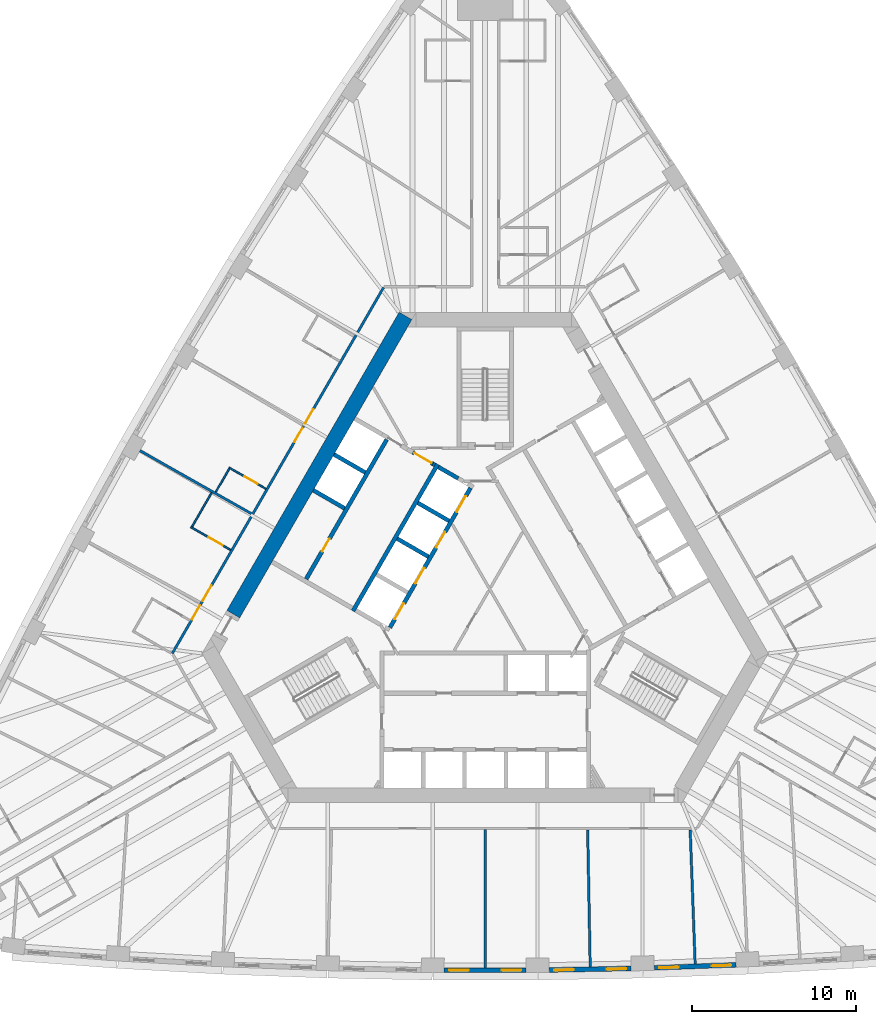
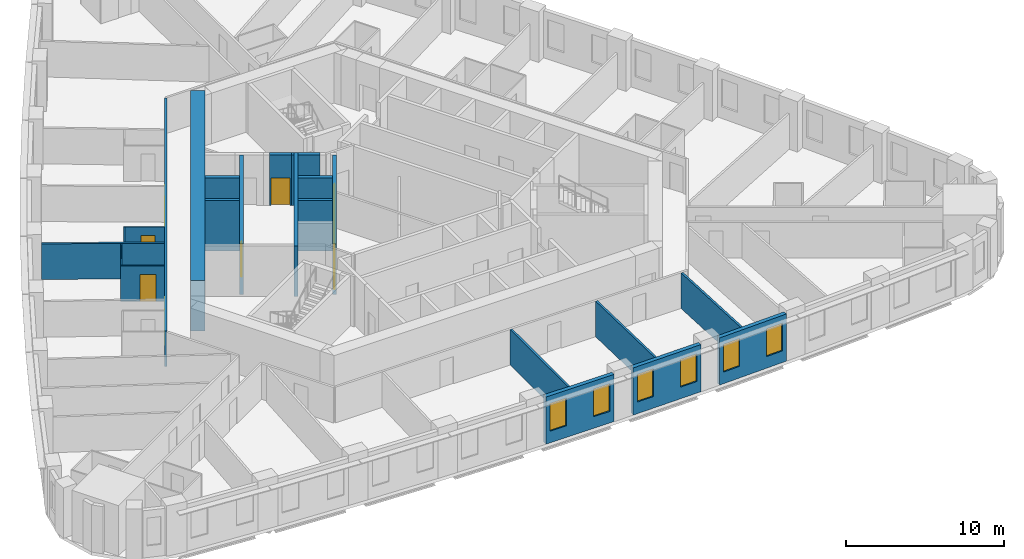
# One storey, part 5 of 12: 23 walls, 12 doors, 6 windows, 18 openings.
"""IFC4 building model written with IfcOpenShell, lengths in metres."""

import ifcopenshell
import ifcopenshell.guid

model = None  # the IFC model being written
_history = None  # IfcOwnerHistory: only IFC2X3 demands one
_inside = {}  # id of a spatial element -> (the spatial element, [elements in it])
_under = {}  # id of a project, library or spatial element -> (it, [spatial elements below it])
_declared = {}  # id of a project -> (the project, [libraries it declares])
_typed = {}  # id of a type object -> (the type object, [elements of that type])
_made_of = {}  # id of a material, layer set ... -> (it, [elements and type objects made of it])


def new_model(schema):
    """Start an empty IFC model of exactly this schema.

    Asked for "IFC4X3", IfcOpenShell would pick the latest addendum, in which some entities
    have other attributes; the version numbers below select the first issue.
    IFC2X3 requires an IfcOwnerHistory on every rooted entity: one is made here for all.
    """
    global model, _history
    if schema == "IFC4X3":
        model = ifcopenshell.file(schema_version=(4, 3, 0, 0))
    else:
        model = ifcopenshell.file(schema=schema)
    _inside.clear()
    _under.clear()
    _declared.clear()
    _typed.clear()
    _made_of.clear()
    _history = None
    if model.schema == "IFC2X3":
        org = make("IfcOrganization", Name="unknown")
        user = make(
            "IfcPersonAndOrganization",
            ThePerson=make("IfcPerson", FamilyName="unknown"),
            TheOrganization=org,
        )
        app = make(
            "IfcApplication",
            ApplicationDeveloper=org,
            Version="unknown",
            ApplicationFullName="unknown",
            ApplicationIdentifier="unknown",
        )
        _history = make(
            "IfcOwnerHistory",
            OwningUser=user,
            OwningApplication=app,
            ChangeAction="ADDED",
            CreationDate=0,
        )
    return model


def make(cls, **values):
    """One entity of the class cls with the attributes given. An attribute that is None is left unset."""
    return model.create_entity(
        cls, **{name: value for name, value in values.items() if value is not None}
    )


def rooted(cls, **values):
    """An entity with a GlobalId (a new one), such as an element, a storey or a relation."""
    return make(cls, GlobalId=ifcopenshell.guid.new(), OwnerHistory=_history, **values)


def si_unit(unit_type, name, prefix=None):
    """IfcSIUnit, for example si_unit("LENGTHUNIT", "METRE", prefix="MILLI")."""
    return make("IfcSIUnit", UnitType=unit_type, Prefix=prefix, Name=name)


def assignment(units):
    """IfcUnitAssignment: the units of a project."""
    return None if units is None else make("IfcUnitAssignment", Units=units)


def point(xyz):
    """IfcCartesianPoint."""
    return None if xyz is None else make("IfcCartesianPoint", Coordinates=xyz)


def direction(xyz):
    """IfcDirection."""
    return None if xyz is None else make("IfcDirection", DirectionRatios=xyz)


def frame(location, z_axis=None, x_axis=None):
    """IfcAxis2Placement3D, a coordinate frame: its origin and axes. An axis left out is left unset."""
    return make(
        "IfcAxis2Placement3D",
        Location=point(location),
        Axis=direction(z_axis),
        RefDirection=direction(x_axis),
    )


def frame_2d(location, x_axis=None):
    """IfcAxis2Placement2D, a coordinate frame in the plane: its origin and x axis."""
    return make(
        "IfcAxis2Placement2D", Location=point(location), RefDirection=direction(x_axis)
    )


def origin():
    """The frame at (0, 0, 0) with its axes left unset."""
    return frame((0.0, 0.0, 0.0))


def place(relative_to, where):
    """IfcLocalPlacement: puts the frame where relative to a parent placement (None: the world)."""
    return make(
        "IfcLocalPlacement", PlacementRelTo=relative_to, RelativePlacement=where
    )


def context(
    kind, dimensions, precision=None, world=None, true_north=None, identifier=None
):
    """IfcGeometricRepresentationContext, for example the 3D "Model" context."""
    return make(
        "IfcGeometricRepresentationContext",
        ContextIdentifier=identifier,
        ContextType=kind,
        CoordinateSpaceDimension=dimensions,
        Precision=precision,
        WorldCoordinateSystem=world,
        TrueNorth=true_north,
    )


def subcontext(parent, identifier, kind, view, scale=None):
    """IfcGeometricRepresentationSubContext, for example "Body" below "Model"."""
    return make(
        "IfcGeometricRepresentationSubContext",
        ContextIdentifier=identifier,
        ContextType=kind,
        ParentContext=parent,
        TargetScale=scale,
        TargetView=view,
    )


def project(units=None, contexts=None):
    """IfcProject with its units and contexts."""
    return rooted(
        "IfcProject",
        Name="project",
        RepresentationContexts=contexts,
        UnitsInContext=assignment(units),
    )


def spatial(cls, under=None, at=None, **own):
    """A site, building, storey or space (cls), placed at a placement, below another one or the project."""
    s = rooted(cls, ObjectPlacement=at, **own)
    if under is not None:
        _under.setdefault(under.id(), (under, []))[1].append(s)
    return s


def polyline(points):
    """IfcPolyline through the points."""
    return make("IfcPolyline", Points=[point(p) for p in points])


def profile(cls, at=None, kind="AREA", **sizes):
    """A parametric profile (cls). Its sizes go by their IFC names, for example OverallWidth=200.0."""
    return make(cls, ProfileType=kind, Position=at, **sizes)


def rectangle(**sizes):
    """IfcRectangleProfileDef."""
    return profile("IfcRectangleProfileDef", **sizes)


def outline(outer, holes=None, kind="AREA"):
    """IfcArbitraryClosedProfileDef: a profile drawn as a closed curve; with holes, ...WithVoids."""
    if holes is None:
        return make("IfcArbitraryClosedProfileDef", ProfileType=kind, OuterCurve=outer)
    return make(
        "IfcArbitraryProfileDefWithVoids",
        ProfileType=kind,
        OuterCurve=outer,
        InnerCurves=holes,
    )


def extrude(swept, where, along, depth):
    """IfcExtrudedAreaSolid: the profile swept, set in the frame where, extruded along a direction by depth."""
    return make(
        "IfcExtrudedAreaSolid",
        SweptArea=swept,
        Position=where,
        ExtrudedDirection=direction(along),
        Depth=depth,
    )


def shape(context_of_items, identifier, shape_type, items):
    """IfcShapeRepresentation: the items that make up one representation, for example the "Body"."""
    return make(
        "IfcShapeRepresentation",
        ContextOfItems=context_of_items,
        RepresentationIdentifier=identifier,
        RepresentationType=shape_type,
        Items=items,
    )


def material(Name=None, Category=None):
    """IfcMaterial."""
    return make("IfcMaterial", Name=Name, Category=Category)


def layer(
    of_material, thickness, ventilated=None, Name=None, Category=None, Priority=None
):
    """IfcMaterialLayer: one layer of a wall or slab, of a material (None: an air gap)."""
    return make(
        "IfcMaterialLayer",
        Material=of_material,
        LayerThickness=thickness,
        IsVentilated=ventilated,
        Name=Name,
        Category=Category,
        Priority=Priority,
    )


def layer_set(layers, Name=None):
    """IfcMaterialLayerSet."""
    return make("IfcMaterialLayerSet", MaterialLayers=layers, LayerSetName=Name)


def made_of(thing, what):
    """Note that an element or type object is made of a material, layer set ...; save() writes the relation."""
    if what is not None:
        _made_of.setdefault(what.id(), (what, []))[1].append(thing)
    return thing


def type_object(cls, material=None, **own):
    """A type object (cls), such as IfcWallType, which elements share."""
    return made_of(rooted(cls, **own), material)


def element(
    cls,
    number,
    at=None,
    inside=None,
    cuts=None,
    type_object=None,
    material=None,
    context=None,
    identifier="Body",
    shape_type=None,
    held_by="IfcProductDefinitionShape",
    body=None,
    shapes=None,
    **own,
):
    """One element of the class cls, such as IfcWall. Its Tag is "e" and its number.

    at: its placement. inside: the storey or other place that contains it. cuts: it is an
    opening in that element (IfcRelVoidsElement). A single representation is given by context,
    identifier, shape_type and body (its items); several are given by shapes. held_by: the class
    of the entity that holds the representations. save() writes the other relations.
    """
    e = rooted(cls, Tag="e%d" % number, ObjectPlacement=at, **own)
    if body is not None:
        shapes = [shape(context, identifier, shape_type, body)]
    if shapes is not None:
        e.Representation = make(held_by, Representations=shapes)
    if inside is not None:
        _inside.setdefault(inside.id(), (inside, []))[1].append(e)
    if cuts is not None:
        rooted(
            "IfcRelVoidsElement", RelatingBuildingElement=cuts, RelatedOpeningElement=e
        )
    if type_object is not None:
        _typed.setdefault(type_object.id(), (type_object, []))[1].append(e)
    return made_of(e, material)


def fill(opening, filler):
    """IfcRelFillsElement: the door or window that sits in an opening."""
    return rooted(
        "IfcRelFillsElement",
        RelatingOpeningElement=opening,
        RelatedBuildingElement=filler,
    )


def aggregate(whole, parts):
    """IfcRelAggregates: a whole, such as a stair, and the parts it consists of."""
    return rooted("IfcRelAggregates", RelatingObject=whole, RelatedObjects=parts)


def save(model, path):
    """Write the relations noted so far, then the file.

    IfcRelAggregates (storeys below a building ...), IfcRelContainedInSpatialStructure (elements
    in a storey), IfcRelDefinesByType, IfcRelAssociatesMaterial and IfcRelDeclares: one each for
    every whole, place, type object, material and project.
    """
    for whole, parts in _under.values():
        aggregate(whole, parts)
    for where, things in _inside.values():
        rooted(
            "IfcRelContainedInSpatialStructure",
            RelatedElements=things,
            RelatingStructure=where,
        )
    for kind, things in _typed.values():
        rooted("IfcRelDefinesByType", RelatedObjects=things, RelatingType=kind)
    for what, things in _made_of.values():
        rooted("IfcRelAssociatesMaterial", RelatedObjects=things, RelatingMaterial=what)
    for by, libraries in _declared.values():
        rooted("IfcRelDeclares", RelatingContext=by, RelatedDefinitions=libraries)
    model.write(path)


model = new_model("IFC4")

# Units and contexts
model_context = context("Model", 3, precision=1e-05, world=origin(), true_north=direction((0.0, 1.0)))
body_context = subcontext(model_context, "Body", "Model", "MODEL_VIEW")
ifc_project = project(units=[si_unit("LENGTHUNIT", "METRE"), si_unit("AREAUNIT", "SQUARE_METRE"), si_unit("VOLUMEUNIT", "CUBIC_METRE"), si_unit("PLANEANGLEUNIT", "RADIAN"), si_unit("MASSUNIT", "GRAM", prefix="KILO")], contexts=[model_context])

# Site, building, storey
site_placement = place(None, origin())
site = spatial("IfcSite", under=ifc_project, at=site_placement, CompositionType="ELEMENT")
building_placement = place(site_placement, origin())
building = spatial("IfcBuilding", under=site, at=building_placement, Name="Mestral Congress Tower", CompositionType="ELEMENT")
storey_placement = place(building_placement, frame((0.0, 0.0, 43.199951171875)))
storey = spatial("IfcBuildingStorey", under=building, at=storey_placement, Name="L09", CompositionType="ELEMENT", Elevation=43.199951171875)

# Wall
ifc_material_1 = material(Name="Concrete C60/75", Category="concrete")
ifc_layer_1 = layer(ifc_material_1, 0.89990234375)
ifc_layer_set_1 = layer_set([ifc_layer_1], Name="Concrete C60/75")
wall_type_1 = type_object("IfcWallType", Name="Core wall RC 900", PredefinedType="SOLIDWALL", material=ifc_layer_set_1)
wall_1_placement = place(storey_placement, frame((-15.359619140625, -1.50341796875, 0.0), z_axis=(0.0, 0.0, 1.0), x_axis=(0.50000389221, 0.866023156604, 0.0)))
element("IfcWall", 1, at=wall_1_placement, inside=storey, type_object=wall_type_1, Name="L09 core wall", PredefinedType="SOLIDWALL", context=body_context, shape_type="SweptSolid", body=[
    extrude(rectangle(XDim=21.000244140625, YDim=0.89990234375, at=frame_2d((10.5, 0.0))), origin(), (0.0, 0.0, 1.0), 3.900146484375),
])

# Wall, openings, windows
ifc_material_2 = material(Name="Precast concrete C40/50 with limestone facing", Category="masonry")
ifc_layer_2 = layer(ifc_material_2, 0.2900390625)
ifc_layer_set_2 = layer_set([ifc_layer_2], Name="Precast concrete C40/50 with limestone facing")
wall_type_2 = type_object("IfcWallType", Name="Facade stone wall 290", PredefinedType="SOLIDWALL", material=ifc_layer_set_2)
wall_2_placement = place(storey_placement, frame((-2.4990234375, -23.21826171875, 0.0), z_axis=(0.0, 0.0, 1.0), x_axis=(1.0, 0.0, 0.0)))
wall_2 = element("IfcWall", 2, at=wall_2_placement, inside=storey, type_object=wall_type_2, Name="Facade wall F0-04", PredefinedType="SOLIDWALL", context=body_context, shape_type="SweptSolid", body=[
    extrude(rectangle(XDim=4.998046875, YDim=0.2900390625, at=frame_2d((2.4990234375, 0.0))), origin(), (0.0, 0.0, 1.0), 3.650146484375),
])
opening_1_placement = place(wall_2_placement, frame((0.297119140625, 0.0, 0.89990234375)))
opening_1 = element("IfcOpeningElement", 3, at=opening_1_placement, cuts=wall_2, Name="Opening W1", PredefinedType="OPENING", context=body_context, shape_type="SweptSolid", body=[
    extrude(rectangle(XDim=1.199951171875, YDim=2.14990234375, at=frame_2d((0.60009765625, 1.074951171875))), frame((0.0, 0.155029296875, 0.0), z_axis=(0.0, -1.0, 0.0), x_axis=(1.0, 0.0, 0.0)), (0.0, 0.0, 1.0), 0.31005859375),
])
opening_2_placement = place(wall_2_placement, frame((3.501220703125, 0.0, 0.89990234375)))
opening_2 = element("IfcOpeningElement", 4, at=opening_2_placement, cuts=wall_2, Name="Opening W1", PredefinedType="OPENING", context=body_context, shape_type="SweptSolid", body=[
    extrude(rectangle(XDim=1.199951171875, YDim=2.14990234375, at=frame_2d((0.60009765625, 1.074951171875))), frame((0.0, 0.155029296875, 0.0), z_axis=(0.0, -1.0, 0.0), x_axis=(1.0, 0.0, 0.0)), (0.0, 0.0, 1.0), 0.31005859375),
])
ifc_material_3 = material(Name="Clear low-emissivity double glazing", Category="glass")
window_type = type_object("IfcWindowType", Name="Facade punched window 1200 x 2150 sill 900", PartitioningType="DOUBLE_PANEL_VERTICAL", PredefinedType="WINDOW", material=ifc_material_3)
window_1_placement = place(opening_1_placement, origin())
window_1 = element("IfcWindow", 5, at=window_1_placement, inside=storey, type_object=window_type, Name="Window F0-04a", OverallHeight=2.14990234375, OverallWidth=1.199951171875, PartitioningType="DOUBLE_PANEL_VERTICAL", PredefinedType="WINDOW", context=body_context, shape_type="SweptSolid", body=[
    extrude(rectangle(XDim=1.199951171875, YDim=2.14990234375, at=frame_2d((0.60009765625, 1.074951171875))), frame((0.0, 0.01513671875, 0.0), z_axis=(0.0, -1.0, 0.0), x_axis=(1.0, 0.0, 0.0)), (0.0, 0.0, 1.0), 0.06005859375),
])
fill(opening_1, window_1)
window_2_placement = place(opening_2_placement, origin())
window_2 = element("IfcWindow", 6, at=window_2_placement, inside=storey, type_object=window_type, Name="Window F0-04b", OverallHeight=2.14990234375, OverallWidth=1.199951171875, PartitioningType="DOUBLE_PANEL_VERTICAL", PredefinedType="WINDOW", context=body_context, shape_type="SweptSolid", body=[
    extrude(rectangle(XDim=1.199951171875, YDim=2.14990234375, at=frame_2d((0.60009765625, 1.074951171875))), frame((0.0, 0.01513671875, 0.0), z_axis=(0.0, -1.0, 0.0), x_axis=(1.0, 0.0, 0.0)), (0.0, 0.0, 1.0), 0.06005859375),
])
fill(opening_2, window_2)

wall_3_placement = place(storey_placement, frame((3.90625, -23.205078125, 0.0), z_axis=(0.0, 0.0, 1.0), x_axis=(0.999829529479, 0.018463801951, 0.0)))
wall_3 = element("IfcWall", 7, at=wall_3_placement, inside=storey, type_object=wall_type_2, Name="Facade wall F0-05", PredefinedType="SOLIDWALL", context=body_context, shape_type="SweptSolid", body=[
    extrude(rectangle(XDim=4.998046875, YDim=0.2900390625, at=frame_2d((2.4990234375, 0.0))), origin(), (0.0, 0.0, 1.0), 3.650146484375),
])
opening_3_placement = place(wall_3_placement, frame((0.297119140625, 0.0, 0.89990234375)))
opening_3 = element("IfcOpeningElement", 8, at=opening_3_placement, cuts=wall_3, Name="Opening W1", PredefinedType="OPENING", context=body_context, shape_type="SweptSolid", body=[
    extrude(rectangle(XDim=1.199951171875, YDim=2.14990234375, at=frame_2d((0.60009765625, 1.074951171875))), frame((0.0, 0.155029296875, 0.0), z_axis=(0.0, -1.0, 0.0), x_axis=(1.0, 0.0, 0.0)), (0.0, 0.0, 1.0), 0.31005859375),
])
opening_4_placement = place(wall_3_placement, frame((3.501220703125, 0.0, 0.89990234375)))
opening_4 = element("IfcOpeningElement", 9, at=opening_4_placement, cuts=wall_3, Name="Opening W1", PredefinedType="OPENING", context=body_context, shape_type="SweptSolid", body=[
    extrude(rectangle(XDim=1.199951171875, YDim=2.14990234375, at=frame_2d((0.60009765625, 1.074951171875))), frame((0.0, 0.155029296875, 0.0), z_axis=(0.0, -1.0, 0.0), x_axis=(1.0, 0.0, 0.0)), (0.0, 0.0, 1.0), 0.31005859375),
])
window_3_placement = place(opening_3_placement, origin())
window_3 = element("IfcWindow", 10, at=window_3_placement, inside=storey, type_object=window_type, Name="Window F0-05a", OverallHeight=2.14990234375, OverallWidth=1.199951171875, PartitioningType="DOUBLE_PANEL_VERTICAL", PredefinedType="WINDOW", context=body_context, shape_type="SweptSolid", body=[
    extrude(rectangle(XDim=1.199951171875, YDim=2.14990234375, at=frame_2d((0.60009765625, 1.074951171875))), frame((0.0, 0.01513671875, 0.0), z_axis=(0.0, -1.0, 0.0), x_axis=(1.0, 0.0, 0.0)), (0.0, 0.0, 1.0), 0.06005859375),
])
fill(opening_3, window_3)
window_4_placement = place(opening_4_placement, origin())
window_4 = element("IfcWindow", 11, at=window_4_placement, inside=storey, type_object=window_type, Name="Window F0-05b", OverallHeight=2.14990234375, OverallWidth=1.199951171875, PartitioningType="DOUBLE_PANEL_VERTICAL", PredefinedType="WINDOW", context=body_context, shape_type="SweptSolid", body=[
    extrude(rectangle(XDim=1.199951171875, YDim=2.14990234375, at=frame_2d((0.60009765625, 1.074951171875))), frame((0.0, 0.01513671875, 0.0), z_axis=(0.0, -1.0, 0.0), x_axis=(1.0, 0.0, 0.0)), (0.0, 0.0, 1.0), 0.06005859375),
])
fill(opening_4, window_4)

wall_4_placement = place(storey_placement, frame((10.310302734375, -23.07373046875, 0.0), z_axis=(0.0, 0.0, 1.0), x_axis=(0.999317974969, 0.036926750529, 0.0)))
wall_4 = element("IfcWall", 12, at=wall_4_placement, inside=storey, type_object=wall_type_2, Name="Facade wall F0-06", PredefinedType="SOLIDWALL", context=body_context, shape_type="SweptSolid", body=[
    extrude(rectangle(XDim=4.998291015625, YDim=0.2900390625, at=frame_2d((2.4990234375, 0.0))), origin(), (0.0, 0.0, 1.0), 3.650146484375),
])
opening_5_placement = place(wall_4_placement, frame((0.297119140625, 0.0, 0.89990234375)))
opening_5 = element("IfcOpeningElement", 13, at=opening_5_placement, cuts=wall_4, Name="Opening W1", PredefinedType="OPENING", context=body_context, shape_type="SweptSolid", body=[
    extrude(rectangle(XDim=1.199951171875, YDim=2.14990234375, at=frame_2d((0.60009765625, 1.074951171875))), frame((0.0, 0.155029296875, 0.0), z_axis=(0.0, -1.0, 0.0), x_axis=(1.0, 0.0, 0.0)), (0.0, 0.0, 1.0), 0.31005859375),
])
opening_6_placement = place(wall_4_placement, frame((3.501220703125, 0.0, 0.89990234375)))
opening_6 = element("IfcOpeningElement", 14, at=opening_6_placement, cuts=wall_4, Name="Opening W1", PredefinedType="OPENING", context=body_context, shape_type="SweptSolid", body=[
    extrude(rectangle(XDim=1.199951171875, YDim=2.14990234375, at=frame_2d((0.60009765625, 1.074951171875))), frame((0.0, 0.155029296875, 0.0), z_axis=(0.0, -1.0, 0.0), x_axis=(1.0, 0.0, 0.0)), (0.0, 0.0, 1.0), 0.31005859375),
])
window_5_placement = place(opening_5_placement, origin())
window_5 = element("IfcWindow", 15, at=window_5_placement, inside=storey, type_object=window_type, Name="Window F0-06a", OverallHeight=2.14990234375, OverallWidth=1.199951171875, PartitioningType="DOUBLE_PANEL_VERTICAL", PredefinedType="WINDOW", context=body_context, shape_type="SweptSolid", body=[
    extrude(rectangle(XDim=1.199951171875, YDim=2.14990234375, at=frame_2d((0.60009765625, 1.074951171875))), frame((0.0, 0.01513671875, 0.0), z_axis=(0.0, -1.0, 0.0), x_axis=(1.0, 0.0, 0.0)), (0.0, 0.0, 1.0), 0.06005859375),
])
fill(opening_5, window_5)
window_6_placement = place(opening_6_placement, origin())
window_6 = element("IfcWindow", 16, at=window_6_placement, inside=storey, type_object=window_type, Name="Window F0-06b", OverallHeight=2.14990234375, OverallWidth=1.199951171875, PartitioningType="DOUBLE_PANEL_VERTICAL", PredefinedType="WINDOW", context=body_context, shape_type="SweptSolid", body=[
    extrude(rectangle(XDim=1.199951171875, YDim=2.14990234375, at=frame_2d((0.60009765625, 1.074951171875))), frame((0.0, 0.01513671875, 0.0), z_axis=(0.0, -1.0, 0.0), x_axis=(1.0, 0.0, 0.0)), (0.0, 0.0, 1.0), 0.06005859375),
])
fill(opening_6, window_6)

# Wall, opening, door
ifc_material_4 = material(Name="Gypsum board partition on metal studs with mineral wool", Category="composite")
ifc_layer_3 = layer(ifc_material_4, 0.10009765625)
ifc_layer_set_3 = layer_set([ifc_layer_3], Name="Gypsum board partition on metal studs with mineral wool")
wall_type_3 = type_object("IfcWallType", Name="Hotel partition wall 100", PredefinedType="PARTITIONING", material=ifc_layer_set_3)
wall_5_placement = place(storey_placement, frame((-13.37255859375, 6.13818359375, 0.0), z_axis=(0.0, 0.0, 1.0), x_axis=(-0.866062058628, 0.499936506574, 0.0)))
wall_5 = element("IfcWall", 17, at=wall_5_placement, inside=storey, type_object=wall_type_3, Name="L09-h-pod22a", PredefinedType="PARTITIONING", context=body_context, shape_type="SweptSolid", body=[
    extrude(rectangle(XDim=2.599853515625, YDim=0.10009765625, at=frame_2d((1.2998046875, 0.0))), origin(), (0.0, 0.0, 1.0), 2.75),
])
opening_7_placement = place(wall_5_placement, frame((0.60009765625, 0.0, 0.0)))
opening_7 = element("IfcOpeningElement", 18, at=opening_7_placement, cuts=wall_5, Name="Opening H02-036", PredefinedType="OPENING", context=body_context, shape_type="SweptSolid", body=[
    extrude(rectangle(XDim=0.89990234375, YDim=2.10009765625, at=frame_2d((0.449951171875, 1.050048828125))), frame((0.0, 0.06005859375, 0.0), z_axis=(0.0, -1.0, 0.0), x_axis=(1.0, 0.0, 0.0)), (0.0, 0.0, 1.0), 0.1201171875),
])
ifc_material_5 = material(Name="Timber veneer door leaf in timber frame", Category="wood")
door_type_1 = type_object("IfcDoorType", Name="Bathroom door 900", OperationType="SINGLE_SWING_LEFT", PredefinedType="DOOR", material=ifc_material_5)
door_1_placement = place(opening_7_placement, origin())
door_1 = element("IfcDoor", 19, at=door_1_placement, inside=storey, type_object=door_type_1, Name="L09-h-d036", OperationType="SINGLE_SWING_LEFT", OverallHeight=2.10009765625, OverallWidth=0.89990234375, PredefinedType="DOOR", context=body_context, shape_type="SweptSolid", body=[
    extrude(rectangle(XDim=0.89990234375, YDim=2.10009765625, at=frame_2d((0.449951171875, 1.050048828125))), frame((0.0, 0.02490234375, 0.0), z_axis=(0.0, -1.0, 0.0), x_axis=(1.0, 0.0, 0.0)), (0.0, 0.0, 1.0), 0.050048828125),
])
fill(opening_7, door_1)

# Wall
wall_6_placement = place(storey_placement, frame((-15.60595703125, 7.369873046875, 0.0), z_axis=(0.0, 0.0, 1.0), x_axis=(-0.499974350878, -0.866040211805, 0.0)))
element("IfcWall", 20, at=wall_6_placement, inside=storey, type_object=wall_type_3, Name="L09-h-pod22b", PredefinedType="PARTITIONING", context=body_context, shape_type="SweptSolid", body=[
    extrude(rectangle(XDim=1.64990234375, YDim=0.10009765625, at=frame_2d((0.824951171875, 0.0))), origin(), (0.0, 0.0, 1.0), 2.75),
])

# Wall, opening, door
wall_7_placement = place(storey_placement, frame((-17.950927734375, 3.80810546875, 0.0), z_axis=(0.0, 0.0, 1.0), x_axis=(0.866034573852, -0.49998411664, 0.0)))
wall_7 = element("IfcWall", 21, at=wall_7_placement, inside=storey, type_object=wall_type_3, Name="L09-h-pod23a", PredefinedType="PARTITIONING", context=body_context, shape_type="SweptSolid", body=[
    extrude(rectangle(XDim=2.7998046875, YDim=0.10009765625, at=frame_2d((1.39990234375, 0.0))), origin(), (0.0, 0.0, 1.0), 2.75),
])
opening_8_placement = place(wall_7_placement, frame((1.25, 0.0, 0.0)))
opening_8 = element("IfcOpeningElement", 22, at=opening_8_placement, cuts=wall_7, Name="Opening H02-038", PredefinedType="OPENING", context=body_context, shape_type="SweptSolid", body=[
    extrude(rectangle(XDim=1.0, YDim=2.10009765625, at=frame_2d((0.5, 1.050048828125))), frame((0.0, 0.06005859375, 0.0), z_axis=(0.0, -1.0, 0.0), x_axis=(1.0, 0.0, 0.0)), (0.0, 0.0, 1.0), 0.1201171875),
])
door_type_2 = type_object("IfcDoorType", Name="Accessible bathroom door 1000", OperationType="SINGLE_SWING_LEFT", PredefinedType="DOOR", material=ifc_material_5)
door_2_placement = place(opening_8_placement, origin())
door_2 = element("IfcDoor", 23, at=door_2_placement, inside=storey, type_object=door_type_2, Name="L09-h-d038", OperationType="SINGLE_SWING_LEFT", OverallHeight=2.10009765625, OverallWidth=1.0, PredefinedType="DOOR", context=body_context, shape_type="SweptSolid", body=[
    extrude(rectangle(XDim=1.0, YDim=2.10009765625, at=frame_2d((0.5, 1.050048828125))), frame((0.0, 0.02490234375, 0.0), z_axis=(0.0, -1.0, 0.0), x_axis=(1.0, 0.0, 0.0)), (0.0, 0.0, 1.0), 0.050048828125),
])
fill(opening_8, door_2)

# Wall
wall_8_placement = place(storey_placement, frame((-17.877685546875, 3.835205078125, 0.0), z_axis=(0.0, 0.0, 1.0), x_axis=(0.500061428766, 0.865989934965, 0.0)))
element("IfcWall", 24, at=wall_8_placement, inside=storey, type_object=wall_type_3, Name="L09-h-pod23b", PredefinedType="PARTITIONING", context=body_context, shape_type="SweptSolid", body=[
    extrude(rectangle(XDim=2.389892578125, YDim=0.10009765625, at=frame_2d((1.19482421875, 0.0))), origin(), (0.0, 0.0, 1.0), 2.75),
])

# Wall, openings, doors
ifc_layer_4 = layer(ifc_material_4, 0.14990234375)
ifc_layer_set_4 = layer_set([ifc_layer_4], Name="Gypsum board partition on metal studs with mineral wool")
wall_type_4 = type_object("IfcWallType", Name="Hotel partition wall 150", PredefinedType="PARTITIONING", material=ifc_layer_set_4)
wall_9_placement = place(storey_placement, frame((-19.081298828125, -3.89990234375, 0.0), z_axis=(0.0, 0.0, 1.0), x_axis=(0.499998313975, 0.866026377209, 0.0)))
wall_9 = element("IfcWall", 25, at=wall_9_placement, inside=storey, type_object=wall_type_4, Name="L09-h-cw08", PredefinedType="PARTITIONING", context=body_context, shape_type="SweptSolid", body=[
    extrude(rectangle(XDim=25.76611328125, YDim=0.14990234375, at=frame_2d((12.883056640625, 0.0))), origin(), (0.0, 0.0, 1.0), 2.75),
])
opening_9_placement = place(wall_9_placement, frame((16.19580078125, 0.0, 0.0)))
opening_9 = element("IfcOpeningElement", 26, at=opening_9_placement, cuts=wall_9, Name="Opening H02-033", PredefinedType="OPENING", context=body_context, shape_type="SweptSolid", body=[
    extrude(rectangle(XDim=1.0, YDim=2.10009765625, at=frame_2d((0.5, 1.050048828125))), frame((0.0, 0.0849609375, 0.0), z_axis=(0.0, -1.0, 0.0), x_axis=(1.0, 0.0, 0.0)), (0.0, 0.0, 1.0), 0.169921875),
])
opening_10_placement = place(wall_9_placement, frame((14.888671875, 0.0, 0.0)))
opening_10 = element("IfcOpeningElement", 27, at=opening_10_placement, cuts=wall_9, Name="Opening H02-035", PredefinedType="OPENING", context=body_context, shape_type="SweptSolid", body=[
    extrude(rectangle(XDim=1.0, YDim=2.10009765625, at=frame_2d((0.5, 1.050048828125))), frame((0.0, 0.0849609375, 0.0), z_axis=(0.0, -1.0, 0.0), x_axis=(1.0, 0.0, 0.0)), (0.0, 0.0, 1.0), 0.169921875),
])
opening_11_placement = place(wall_9_placement, frame((3.6982421875, 0.0, 0.0)))
opening_11 = element("IfcOpeningElement", 28, at=opening_11_placement, cuts=wall_9, Name="Opening H02-037", PredefinedType="OPENING", context=body_context, shape_type="SweptSolid", body=[
    extrude(rectangle(XDim=1.10009765625, YDim=2.10009765625, at=frame_2d((0.550048828125, 1.050048828125))), frame((0.0, 0.0849609375, 0.0), z_axis=(0.0, -1.0, 0.0), x_axis=(1.0, 0.0, 0.0)), (0.0, 0.0, 1.0), 0.169921875),
])
opening_12_placement = place(wall_9_placement, frame((2.3916015625, 0.0, 0.0)))
opening_12 = element("IfcOpeningElement", 29, at=opening_12_placement, cuts=wall_9, Name="Opening H02-039", PredefinedType="OPENING", context=body_context, shape_type="SweptSolid", body=[
    extrude(rectangle(XDim=1.0, YDim=2.10009765625, at=frame_2d((0.5, 1.050048828125))), frame((0.0, 0.0849609375, 0.0), z_axis=(0.0, -1.0, 0.0), x_axis=(1.0, 0.0, 0.0)), (0.0, 0.0, 1.0), 0.169921875),
])
ifc_material_6 = material(Name="Timber veneer door leaf in metal frame", Category="wood")
door_type_3 = type_object("IfcDoorType", Name="Accessible room entrance door 1100", OperationType="SINGLE_SWING_LEFT", PredefinedType="DOOR", material=ifc_material_6)
door_3_placement = place(opening_11_placement, origin())
door_3 = element("IfcDoor", 30, at=door_3_placement, inside=storey, type_object=door_type_3, Name="L09-h-d037", OperationType="SINGLE_SWING_LEFT", OverallHeight=2.10009765625, OverallWidth=1.10009765625, PredefinedType="DOOR", context=body_context, shape_type="SweptSolid", body=[
    extrude(rectangle(XDim=1.10009765625, YDim=2.10009765625, at=frame_2d((0.550048828125, 1.050048828125))), frame((0.0, 0.02490234375, 0.0), z_axis=(0.0, -1.0, 0.0), x_axis=(1.0, 0.0, 0.0)), (0.0, 0.0, 1.0), 0.050048828125),
])
fill(opening_11, door_3)
door_type_4 = type_object("IfcDoorType", Name="Guest room entrance door 1000", OperationType="SINGLE_SWING_LEFT", PredefinedType="DOOR", material=ifc_material_6)
door_4_placement = place(opening_9_placement, origin())
door_4 = element("IfcDoor", 31, at=door_4_placement, inside=storey, type_object=door_type_4, Name="L09-h-d033", OperationType="SINGLE_SWING_LEFT", OverallHeight=2.10009765625, OverallWidth=1.0, PredefinedType="DOOR", context=body_context, shape_type="SweptSolid", body=[
    extrude(rectangle(XDim=1.0, YDim=2.10009765625, at=frame_2d((0.5, 1.050048828125))), frame((0.0, 0.02490234375, 0.0), z_axis=(0.0, -1.0, 0.0), x_axis=(1.0, 0.0, 0.0)), (0.0, 0.0, 1.0), 0.050048828125),
])
fill(opening_9, door_4)
door_5_placement = place(opening_10_placement, origin())
door_5 = element("IfcDoor", 32, at=door_5_placement, inside=storey, type_object=door_type_4, Name="L09-h-d035", OperationType="SINGLE_SWING_RIGHT", OverallHeight=2.10009765625, OverallWidth=1.0, PredefinedType="DOOR", context=body_context, shape_type="SweptSolid", body=[
    extrude(rectangle(XDim=1.0, YDim=2.10009765625, at=frame_2d((0.5, 1.050048828125))), frame((0.0, 0.02490234375, 0.0), z_axis=(0.0, -1.0, 0.0), x_axis=(1.0, 0.0, 0.0)), (0.0, 0.0, 1.0), 0.050048828125),
])
fill(opening_10, door_5)
door_6_placement = place(opening_12_placement, origin())
door_6 = element("IfcDoor", 33, at=door_6_placement, inside=storey, type_object=door_type_4, Name="L09-h-d039", OperationType="SINGLE_SWING_RIGHT", OverallHeight=2.10009765625, OverallWidth=1.0, PredefinedType="DOOR", context=body_context, shape_type="SweptSolid", body=[
    extrude(rectangle(XDim=1.0, YDim=2.10009765625, at=frame_2d((0.5, 1.050048828125))), frame((0.0, 0.02490234375, 0.0), z_axis=(0.0, -1.0, 0.0), x_axis=(1.0, 0.0, 0.0)), (0.0, 0.0, 1.0), 0.050048828125),
])
fill(opening_12, door_6)

# Walls
wall_10_placement = place(storey_placement, frame((-21.051513671875, 8.464111328125, 0.0), z_axis=(0.0, 0.0, 1.0), x_axis=(0.87059371954, -0.492002617368, 0.0)))
element("IfcWall", 34, at=wall_10_placement, inside=storey, type_object=wall_type_4, Name="L09-h-pw08", PredefinedType="PARTITIONING", context=body_context, shape_type="SweptSolid", body=[
    extrude(rectangle(XDim=7.803466796875, YDim=0.14990234375, at=frame_2d((3.90185546875, 0.0))), origin(), (0.0, 0.0, 1.0), 2.75),
])
wall_11_placement = place(storey_placement, frame((0.0, -23.0732421875, 0.0), z_axis=(0.0, 0.0, 1.0), x_axis=(0.0, 1.0, 0.0)))
element("IfcWall", 35, at=wall_11_placement, inside=storey, type_object=wall_type_4, Name="L09-h-pw14", PredefinedType="PARTITIONING", context=body_context, shape_type="SweptSolid", body=[
    extrude(rectangle(XDim=8.42333984375, YDim=0.14990234375, at=frame_2d((4.211669921875, 0.0))), origin(), (0.0, 0.0, 1.0), 2.75),
])
wall_12_placement = place(storey_placement, frame((6.40234375, -23.013916015625, 0.0), z_axis=(0.0, 0.0, 1.0), x_axis=(-0.01849587109, 0.999828936745, 0.0)))
element("IfcWall", 36, at=wall_12_placement, inside=storey, type_object=wall_type_4, Name="L09-h-pw17", PredefinedType="PARTITIONING", context=body_context, shape_type="SweptSolid", body=[
    extrude(rectangle(XDim=8.35546875, YDim=0.14990234375, at=frame_2d((4.177734375, 0.0))), origin(), (0.0, 0.0, 1.0), 2.75),
])
wall_13_placement = place(storey_placement, frame((12.802490234375, -22.83642578125, 0.0), z_axis=(0.0, 0.0, 1.0), x_axis=(-0.036969723281, 0.999316386116, 0.0)))
element("IfcWall", 37, at=wall_13_placement, inside=storey, type_object=wall_type_4, Name="L09-h-pw20", PredefinedType="PARTITIONING", context=body_context, shape_type="SweptSolid", body=[
    extrude(rectangle(XDim=8.18212890625, YDim=0.14990234375, at=frame_2d((4.091064453125, 0.0))), origin(), (0.0, 0.0, 1.0), 2.75),
])
ifc_layer_5 = layer(ifc_material_1, 0.25)
ifc_layer_set_5 = layer_set([ifc_layer_5], Name="Concrete C60/75")
wall_type_5 = type_object("IfcWallType", Name="Shaft wall RC 250", PredefinedType="SOLIDWALL", material=ifc_layer_set_5)
wall_14_placement = place(storey_placement, frame((-8.06005859375, -1.310546875, 0.0), z_axis=(0.0, 0.0, 1.0), x_axis=(0.50000273126, 0.866023826885, 0.0)))
element("IfcWall", 38, at=wall_14_placement, inside=storey, type_object=wall_type_5, Name="L09 core wall", PredefinedType="SOLIDWALL", context=body_context, shape_type="SweptSolid", body=[
    extrude(rectangle(XDim=10.330078125, YDim=0.25, at=frame_2d((5.1650390625, 0.0))), origin(), (0.0, 0.0, 1.0), 3.900146484375),
])
wall_15_placement = place(storey_placement, frame((-1.6474609375, 6.770751953125, 0.0), z_axis=(0.0, 0.0, 1.0), x_axis=(-0.865971728693, 0.500092956464, 0.0)))
element("IfcWall", 39, at=wall_15_placement, inside=storey, type_object=wall_type_5, Name="L09 core wall", PredefinedType="SOLIDWALL", context=body_context, shape_type="SweptSolid", body=[
    extrude(rectangle(XDim=1.387939453125, YDim=0.25, at=frame_2d((0.69384765625, 0.0))), origin(), (0.0, 0.0, 1.0), 3.900146484375),
])
for number, where, z_axis, x_axis, name in (
    (40, (-2.2041015625, 4.182373046875, 0.0), (0.0, 0.0, 1.0), (-0.866008176907, 0.50002983664, 0.0), "L09 core wall"),
    (41, (-5.369384765625, 3.10009765625, 0.0), (0.0, 0.0, 1.0), (0.866008176907, -0.50002983664, 0.0), "L09 core wall"),
):
    element("IfcWall", number, at=place(storey_placement, frame(where, z_axis=z_axis, x_axis=x_axis)), inside=storey, type_object=wall_type_5, Name=name, PredefinedType="SOLIDWALL", context=body_context, shape_type="SweptSolid", body=[
        extrude(rectangle(XDim=2.199951171875, YDim=0.25, at=frame_2d((1.10009765625, 0.0))), origin(), (0.0, 0.0, 1.0), 3.900146484375),
    ])
wall_16_placement = place(storey_placement, origin())
element("IfcWall", 42, at=wall_16_placement, inside=storey, type_object=wall_type_5, Name="L09 core wall", PredefinedType="SOLIDWALL", context=body_context, shape_type="SweptSolid", body=[
    extrude(outline(polyline([(-3.12841796875, 7.4814453125), (-3.2587890625, 7.556640625), (-3.1337890625, 7.773193359375), (-3.00341796875, 7.697998046875), (-3.12841796875, 7.4814453125)])), origin(), (0.0, 0.0, 1.0), 3.900146484375),
])
for number, where, z_axis, x_axis, name in (
    (43, (-8.57373046875, 4.949951171875, 0.0), (0.0, 0.0, 1.0), (-0.866008176907, 0.50002983664, 0.0), "L09 core wall"),
    (44, (-7.313720703125, 7.13232421875, 0.0), (0.0, 0.0, 1.0), (-0.866008176907, 0.50002983664, 0.0), "L09 core wall"),
):
    element("IfcWall", number, at=place(storey_placement, frame(where, z_axis=z_axis, x_axis=x_axis)), inside=storey, type_object=wall_type_5, Name=name, PredefinedType="SOLIDWALL", context=body_context, shape_type="SweptSolid", body=[
        extrude(rectangle(XDim=2.199951171875, YDim=0.25, at=frame_2d((1.10009765625, 0.0))), origin(), (0.0, 0.0, 1.0), 3.900146484375),
    ])

# Wall, opening, door
wall_17_placement = place(storey_placement, frame((-6.0078125, 9.14404296875, 0.0), z_axis=(0.0, 0.0, 1.0), x_axis=(-0.500006956611, -0.866021387346, 0.0)))
wall_17 = element("IfcWall", 45, at=wall_17_placement, inside=storey, type_object=wall_type_5, Name="L09 door wall", PredefinedType="SOLIDWALL", context=body_context, shape_type="SweptSolid", body=[
    extrude(rectangle(XDim=9.829833984375, YDim=0.25, at=frame_2d((4.9150390625, 0.0))), origin(), (0.0, 0.0, 1.0), 3.900146484375),
])
opening_13_placement = place(wall_17_placement, frame((6.985107421875, 0.0, 0.0)))
opening_13 = element("IfcOpeningElement", 46, at=opening_13_placement, cuts=wall_17, Name="Opening SR-NWA2", PredefinedType="OPENING", context=body_context, shape_type="SweptSolid", body=[
    extrude(rectangle(XDim=0.89990234375, YDim=2.10009765625, at=frame_2d((0.449951171875, 1.050048828125))), frame((0.0, 0.135009765625, 0.0), z_axis=(0.0, -1.0, 0.0), x_axis=(1.0, 0.0, 0.0)), (0.0, 0.0, 1.0), 0.27001953125),
])
ifc_material_7 = material(Name="Fire-rated steel door set", Category="steel")
door_type_5 = type_object("IfcDoorType", Name="Core door SR 900x2100", OperationType="SINGLE_SWING_LEFT", PredefinedType="DOOR", material=ifc_material_7)
door_7_placement = place(opening_13_placement, origin())
door_7 = element("IfcDoor", 47, at=door_7_placement, inside=storey, type_object=door_type_5, Name="Door SR-NWA2", OperationType="SINGLE_SWING_LEFT", OverallHeight=2.10009765625, OverallWidth=0.89990234375, PredefinedType="DOOR", context=body_context, shape_type="SweptSolid", body=[
    extrude(rectangle(XDim=0.89990234375, YDim=2.10009765625, at=frame_2d((0.449951171875, 1.050048828125))), frame((0.0, 0.02490234375, 0.0), z_axis=(0.0, -1.0, 0.0), x_axis=(1.0, 0.0, 0.0)), (0.0, 0.0, 1.0), 0.050048828125),
])
fill(opening_13, door_7)

# Wall, openings, doors
wall_18_placement = place(storey_placement, frame((-0.898193359375, 6.194091796875, 0.0), z_axis=(0.0, 0.0, 1.0), x_axis=(-0.499996202215, -0.866027596426, 0.0)))
wall_18 = element("IfcWall", 48, at=wall_18_placement, inside=storey, type_object=wall_type_5, Name="L09 door wall", PredefinedType="SOLIDWALL", context=body_context, shape_type="SweptSolid", body=[
    extrude(rectangle(XDim=9.830078125, YDim=0.25, at=frame_2d((4.9150390625, 0.0))), origin(), (0.0, 0.0, 1.0), 3.900146484375),
])
opening_14_placement = place(wall_18_placement, frame((0.5849609375, 0.0, 0.0)))
opening_14 = element("IfcOpeningElement", 49, at=opening_14_placement, cuts=wall_18, Name="Opening LD-NWB1", PredefinedType="OPENING", context=body_context, shape_type="SweptSolid", body=[
    extrude(rectangle(XDim=1.10009765625, YDim=2.10009765625, at=frame_2d((0.550048828125, 1.050048828125))), frame((0.0, 0.135009765625, 0.0), z_axis=(0.0, -1.0, 0.0), x_axis=(1.0, 0.0, 0.0)), (0.0, 0.0, 1.0), 0.27001953125),
])
opening_15_placement = place(wall_18_placement, frame((3.10498046875, 0.0, 0.0)))
opening_15 = element("IfcOpeningElement", 50, at=opening_15_placement, cuts=wall_18, Name="Opening LD-NWB2", PredefinedType="OPENING", context=body_context, shape_type="SweptSolid", body=[
    extrude(rectangle(XDim=1.10009765625, YDim=2.10009765625, at=frame_2d((0.550048828125, 1.050048828125))), frame((0.0, 0.135009765625, 0.0), z_axis=(0.0, -1.0, 0.0), x_axis=(1.0, 0.0, 0.0)), (0.0, 0.0, 1.0), 0.27001953125),
])
opening_16_placement = place(wall_18_placement, frame((5.625, 0.0, 0.0)))
opening_16 = element("IfcOpeningElement", 51, at=opening_16_placement, cuts=wall_18, Name="Opening LD-NWB3", PredefinedType="OPENING", context=body_context, shape_type="SweptSolid", body=[
    extrude(rectangle(XDim=1.10009765625, YDim=2.10009765625, at=frame_2d((0.550048828125, 1.050048828125))), frame((0.0, 0.135009765625, 0.0), z_axis=(0.0, -1.0, 0.0), x_axis=(1.0, 0.0, 0.0)), (0.0, 0.0, 1.0), 0.27001953125),
])
opening_17_placement = place(wall_18_placement, frame((8.14501953125, 0.0, 0.0)))
opening_17 = element("IfcOpeningElement", 52, at=opening_17_placement, cuts=wall_18, Name="Opening LD-NWB4", PredefinedType="OPENING", context=body_context, shape_type="SweptSolid", body=[
    extrude(rectangle(XDim=1.10009765625, YDim=2.10009765625, at=frame_2d((0.550048828125, 1.050048828125))), frame((0.0, 0.135009765625, 0.0), z_axis=(0.0, -1.0, 0.0), x_axis=(1.0, 0.0, 0.0)), (0.0, 0.0, 1.0), 0.27001953125),
])
door_type_6 = type_object("IfcDoorType", Name="Core door LD 1100x2100", OperationType="DOUBLE_DOOR_SLIDING", PredefinedType="DOOR", material=ifc_material_7)
door_8_placement = place(opening_14_placement, origin())
door_8 = element("IfcDoor", 53, at=door_8_placement, inside=storey, type_object=door_type_6, Name="Door LD-NWB1", OperationType="DOUBLE_DOOR_SLIDING", OverallHeight=2.10009765625, OverallWidth=1.10009765625, PredefinedType="DOOR", context=body_context, shape_type="SweptSolid", body=[
    extrude(rectangle(XDim=1.10009765625, YDim=2.10009765625, at=frame_2d((0.550048828125, 1.050048828125))), frame((0.0, 0.02490234375, 0.0), z_axis=(0.0, -1.0, 0.0), x_axis=(1.0, 0.0, 0.0)), (0.0, 0.0, 1.0), 0.050048828125),
])
fill(opening_14, door_8)
door_9_placement = place(opening_15_placement, origin())
door_9 = element("IfcDoor", 54, at=door_9_placement, inside=storey, type_object=door_type_6, Name="Door LD-NWB2", OperationType="DOUBLE_DOOR_SLIDING", OverallHeight=2.10009765625, OverallWidth=1.10009765625, PredefinedType="DOOR", context=body_context, shape_type="SweptSolid", body=[
    extrude(rectangle(XDim=1.10009765625, YDim=2.10009765625, at=frame_2d((0.550048828125, 1.050048828125))), frame((0.0, 0.02490234375, 0.0), z_axis=(0.0, -1.0, 0.0), x_axis=(1.0, 0.0, 0.0)), (0.0, 0.0, 1.0), 0.050048828125),
])
fill(opening_15, door_9)
door_10_placement = place(opening_16_placement, origin())
door_10 = element("IfcDoor", 55, at=door_10_placement, inside=storey, type_object=door_type_6, Name="Door LD-NWB3", OperationType="DOUBLE_DOOR_SLIDING", OverallHeight=2.10009765625, OverallWidth=1.10009765625, PredefinedType="DOOR", context=body_context, shape_type="SweptSolid", body=[
    extrude(rectangle(XDim=1.10009765625, YDim=2.10009765625, at=frame_2d((0.550048828125, 1.050048828125))), frame((0.0, 0.02490234375, 0.0), z_axis=(0.0, -1.0, 0.0), x_axis=(1.0, 0.0, 0.0)), (0.0, 0.0, 1.0), 0.050048828125),
])
fill(opening_16, door_10)
door_11_placement = place(opening_17_placement, origin())
door_11 = element("IfcDoor", 56, at=door_11_placement, inside=storey, type_object=door_type_6, Name="Door LD-NWB4", OperationType="DOUBLE_DOOR_SLIDING", OverallHeight=2.10009765625, OverallWidth=1.10009765625, PredefinedType="DOOR", context=body_context, shape_type="SweptSolid", body=[
    extrude(rectangle(XDim=1.10009765625, YDim=2.10009765625, at=frame_2d((0.550048828125, 1.050048828125))), frame((0.0, 0.02490234375, 0.0), z_axis=(0.0, -1.0, 0.0), x_axis=(1.0, 0.0, 0.0)), (0.0, 0.0, 1.0), 0.050048828125),
])
fill(opening_17, door_11)

# Wall, opening, door
wall_19_placement = place(storey_placement, frame((-4.40869140625, 8.364990234375, 0.0), z_axis=(0.0, 0.0, 1.0), x_axis=(0.866034573852, -0.49998411664, 0.0)))
wall_19 = element("IfcWall", 57, at=wall_19_placement, inside=storey, type_object=wall_type_5, Name="L09 door wall", PredefinedType="SOLIDWALL", context=body_context, shape_type="SweptSolid", body=[
    extrude(rectangle(XDim=1.39990234375, YDim=0.25, at=frame_2d((0.699951171875, 0.0))), origin(), (0.0, 0.0, 1.0), 3.900146484375),
])
opening_18_placement = place(wall_19_placement, frame((0.10009765625, 0.0, 0.0)))
opening_18 = element("IfcOpeningElement", 58, at=opening_18_placement, cuts=wall_19, Name="Opening LB2-WL2", PredefinedType="OPENING", context=body_context, shape_type="SweptSolid", body=[
    extrude(rectangle(XDim=1.199951171875, YDim=2.10009765625, at=frame_2d((0.60009765625, 1.050048828125))), frame((0.0, 0.135009765625, 0.0), z_axis=(0.0, -1.0, 0.0), x_axis=(1.0, 0.0, 0.0)), (0.0, 0.0, 1.0), 0.27001953125),
])
door_type_7 = type_object("IfcDoorType", Name="Core door LB 1200x2100", OperationType="SINGLE_SWING_LEFT", PredefinedType="DOOR", material=ifc_material_7)
door_12_placement = place(opening_18_placement, origin())
door_12 = element("IfcDoor", 59, at=door_12_placement, inside=storey, type_object=door_type_7, Name="Door LB2-WL2", OperationType="SINGLE_SWING_LEFT", OverallHeight=2.10009765625, OverallWidth=1.199951171875, PredefinedType="DOOR", context=body_context, shape_type="SweptSolid", body=[
    extrude(rectangle(XDim=1.199951171875, YDim=2.10009765625, at=frame_2d((0.60009765625, 1.050048828125))), frame((0.0, 0.02490234375, 0.0), z_axis=(0.0, -1.0, 0.0), x_axis=(1.0, 0.0, 0.0)), (0.0, 0.0, 1.0), 0.050048828125),
])
fill(opening_18, door_12)

save(model, "model.ifc")
